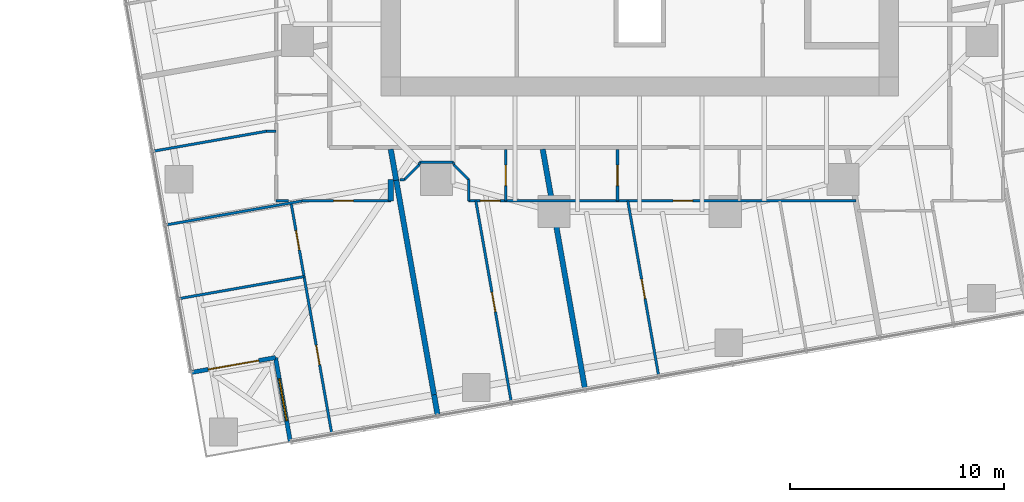
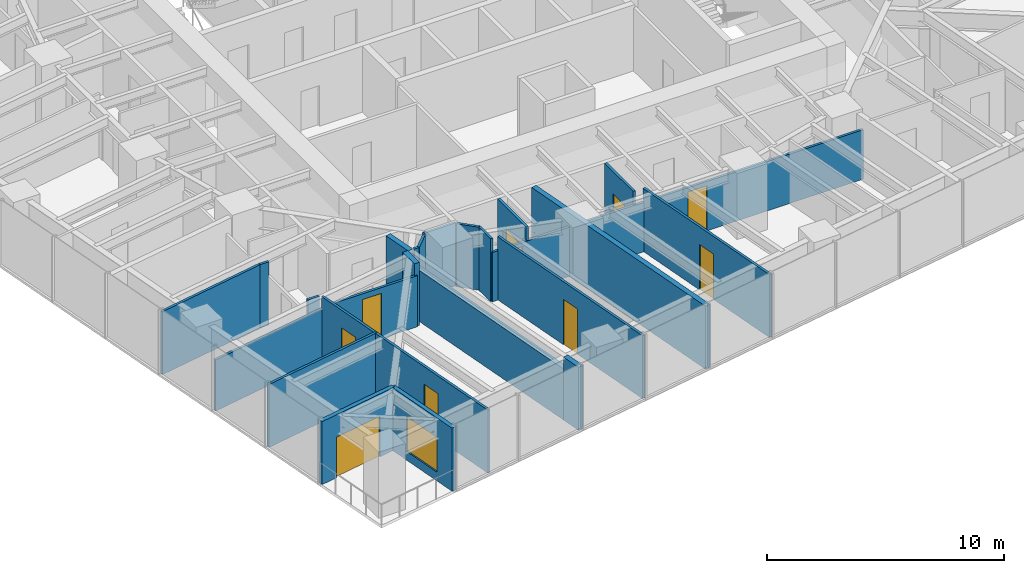
# One storey, part 8 of 14: 26 walls, 10 doors, 1 window, 11 openings.
"""IFC4 building model written with IfcOpenShell, lengths in metres."""

from ifc_helpers import new_model, si_unit, direction, frame, frame_2d, origin, place, context, subcontext, project, spatial, rectangle, extrude, material, layer, layer_set, type_object, element, fill, save


model = new_model("IFC4")

# Units and contexts
model_context = context("Model", 3, precision=1e-05, world=origin(), true_north=direction((0.0, 1.0)))
body_context = subcontext(model_context, "Body", "Model", "MODEL_VIEW")
ifc_project = project(units=[si_unit("LENGTHUNIT", "METRE"), si_unit("AREAUNIT", "SQUARE_METRE"), si_unit("VOLUMEUNIT", "CUBIC_METRE"), si_unit("PLANEANGLEUNIT", "RADIAN"), si_unit("MASSUNIT", "GRAM", prefix="KILO")], contexts=[model_context])

# Site, building, storey
site_placement = place(None, origin())
site = spatial("IfcSite", under=ifc_project, at=site_placement, CompositionType="ELEMENT")
building_placement = place(site_placement, origin())
building = spatial("IfcBuilding", under=site, at=building_placement, Name="Torsade Residences", CompositionType="ELEMENT")
storey_placement = place(building_placement, frame((0.0, 0.0, 79.39990234375)))
storey = spatial("IfcBuildingStorey", under=building, at=storey_placement, Name="L21", CompositionType="ELEMENT", Elevation=79.39990234375)

# Wall, opening, door
ifc_material_1 = material(Name="Plasterboard on steel stud", Category="steel")
ifc_layer_1 = layer(ifc_material_1, 0.1201171875)
ifc_layer_set_1 = layer_set([ifc_layer_1], Name="Plasterboard on steel stud")
wall_type_1 = type_object("IfcWallType", Name="PARTITION 120", PredefinedType="PARTITIONING", material=ifc_layer_set_1)
wall_1_placement = place(storey_placement, frame((28.362060546875, 13.0, 0.0), z_axis=(0.0, 0.0, 1.0), x_axis=(-1.0, 0.0, 0.0)))
wall_1 = element("IfcWall", 1, at=wall_1_placement, inside=storey, type_object=wall_type_1, Name="Partition L21", PredefinedType="PARTITIONING", context=body_context, shape_type="SweptSolid", body=[
    extrude(rectangle(XDim=4.151123046875, YDim=0.1201171875, at=frame_2d((2.07568359375, 0.0))), origin(), (0.0, 0.0, 1.0), 2.63818359375),
])
opening_1_placement = place(wall_1_placement, frame((1.759521484375, 0.0, 0.0)))
opening_1 = element("IfcOpeningElement", 2, at=opening_1_placement, cuts=wall_1, Name="Opening D02", PredefinedType="OPENING", context=body_context, shape_type="SweptSolid", body=[
    extrude(rectangle(XDim=0.919921875, YDim=2.340087890625, at=frame_2d((0.4599609375, 1.169921875))), frame((0.0, 0.070068359375, 0.0), z_axis=(0.0, -1.0, 0.0), x_axis=(1.0, 0.0, 0.0)), (0.0, 0.0, 1.0), 0.14013671875),
])
ifc_material_2 = material(Name="Hollow-core timber door", Category="wood")
door_type_1 = type_object("IfcDoorType", Name="INTERNAL DOOR 920x2340", OperationType="NOTDEFINED", PredefinedType="DOOR", material=ifc_material_2)
door_1_placement = place(opening_1_placement, origin())
door_1 = element("IfcDoor", 3, at=door_1_placement, inside=storey, type_object=door_type_1, Name="Door Kitchen and dining to Living room", OperationType="SINGLE_SWING_RIGHT", OverallHeight=2.340087890625, OverallWidth=0.919921875, PredefinedType="DOOR", context=body_context, shape_type="SweptSolid", body=[
    extrude(rectangle(XDim=0.919921875, YDim=2.340087890625, at=frame_2d((0.4599609375, 1.169921875))), frame((0.0, 0.02490234375, 0.0), z_axis=(0.0, -1.0, 0.0), x_axis=(1.0, 0.0, 0.0)), (0.0, 0.0, 1.0), 0.050048828125),
])
fill(opening_1, door_1)

# Wall, openings, doors
wall_2_placement = place(storey_placement, frame((25.5966796875, 2.115234375, 0.0), z_axis=(0.0, 0.0, 1.0), x_axis=(-0.173639194339, 0.984809336973, 0.0)))
wall_2 = element("IfcWall", 4, at=wall_2_placement, inside=storey, type_object=wall_type_1, Name="Partition L21", PredefinedType="PARTITIONING", context=body_context, shape_type="SweptSolid", body=[
    extrude(rectangle(XDim=10.9599609375, YDim=0.1201171875, at=frame_2d((5.47998046875, 0.0))), origin(), (0.0, 0.0, 1.0), 3.25),
])
opening_2_placement = place(wall_2_placement, frame((3.275146484375, 0.0, 0.0)))
opening_2 = element("IfcOpeningElement", 5, at=opening_2_placement, cuts=wall_2, Name="Opening D02", PredefinedType="OPENING", context=body_context, shape_type="SweptSolid", body=[
    extrude(rectangle(XDim=0.919921875, YDim=2.340087890625, at=frame_2d((0.4599609375, 1.169921875))), frame((0.0, 0.070068359375, 0.0), z_axis=(0.0, -1.0, 0.0), x_axis=(1.0, 0.0, 0.0)), (0.0, 0.0, 1.0), 0.14013671875),
])
opening_3_placement = place(wall_2_placement, frame((8.724853515625, 0.0, 0.0)))
opening_3 = element("IfcOpeningElement", 6, at=opening_3_placement, cuts=wall_2, Name="Opening D02", PredefinedType="OPENING", context=body_context, shape_type="SweptSolid", body=[
    extrude(rectangle(XDim=0.919921875, YDim=2.340087890625, at=frame_2d((0.4599609375, 1.169921875))), frame((0.0, 0.070068359375, 0.0), z_axis=(0.0, -1.0, 0.0), x_axis=(1.0, 0.0, 0.0)), (0.0, 0.0, 1.0), 0.14013671875),
])
door_2_placement = place(opening_2_placement, origin())
door_2 = element("IfcDoor", 7, at=door_2_placement, inside=storey, type_object=door_type_1, Name="Door Living room to Bedroom 1", OperationType="SINGLE_SWING_RIGHT", OverallHeight=2.340087890625, OverallWidth=0.919921875, PredefinedType="DOOR", context=body_context, shape_type="SweptSolid", body=[
    extrude(rectangle(XDim=0.919921875, YDim=2.340087890625, at=frame_2d((0.4599609375, 1.169921875))), frame((0.0, 0.02490234375, 0.0), z_axis=(0.0, -1.0, 0.0), x_axis=(1.0, 0.0, 0.0)), (0.0, 0.0, 1.0), 0.050048828125),
])
fill(opening_2, door_2)
door_3_placement = place(opening_3_placement, origin())
door_3 = element("IfcDoor", 8, at=door_3_placement, inside=storey, type_object=door_type_1, Name="Door Living room to Bedroom 3", OperationType="SINGLE_SWING_LEFT", OverallHeight=2.340087890625, OverallWidth=0.919921875, PredefinedType="DOOR", context=body_context, shape_type="SweptSolid", body=[
    extrude(rectangle(XDim=0.919921875, YDim=2.340087890625, at=frame_2d((0.4599609375, 1.169921875))), frame((0.0, 0.02490234375, 0.0), z_axis=(0.0, -1.0, 0.0), x_axis=(1.0, 0.0, 0.0)), (0.0, 0.0, 1.0), 0.050048828125),
])
fill(opening_3, door_3)

# Walls
wall_3_placement = place(storey_placement, frame((17.850341796875, 11.87841796875, 0.0), z_axis=(0.0, 0.0, 1.0), x_axis=(0.984806762864, 0.173653792983, 0.0)))
element("IfcWall", 9, at=wall_3_placement, inside=storey, type_object=wall_type_1, Name="Partition L21", PredefinedType="PARTITIONING", context=body_context, shape_type="SweptSolid", body=[
    extrude(rectangle(XDim=6.458740234375, YDim=0.1201171875, at=frame_2d((3.2294921875, 0.0))), origin(), (0.0, 0.0, 1.0), 2.63818359375),
])
wall_4_placement = place(storey_placement, frame((18.4580078125, 8.431640625, 0.0), z_axis=(0.0, 0.0, 1.0), x_axis=(0.98480923034, 0.173639799116, 0.0)))
element("IfcWall", 10, at=wall_4_placement, inside=storey, type_object=wall_type_1, Name="Partition L21", PredefinedType="PARTITIONING", context=body_context, shape_type="SweptSolid", body=[
    extrude(rectangle(XDim=5.933349609375, YDim=0.1201171875, at=frame_2d((2.966796875, 0.0))), origin(), (0.0, 0.0, 1.0), 3.25),
])
wall_5_placement = place(storey_placement, frame((23.0, 16.260986328125, 0.0), z_axis=(0.0, 0.0, 1.0), x_axis=(-1.0, 0.0, 0.0)))
element("IfcWall", 11, at=wall_5_placement, inside=storey, type_object=wall_type_1, Name="Partition L21", PredefinedType="PARTITIONING", context=body_context, shape_type="SweptSolid", body=[
    extrude(rectangle(XDim=0.449951171875, YDim=0.1201171875, at=frame_2d((0.22509765625, 0.0))), origin(), (0.0, 0.0, 1.0), 3.25),
])
wall_6_placement = place(storey_placement, frame((22.550048828125, 16.260986328125, 0.0), z_axis=(0.0, 0.0, 1.0), x_axis=(-0.984810453076, -0.173632864151, 0.0)))
element("IfcWall", 12, at=wall_6_placement, inside=storey, type_object=wall_type_1, Name="Partition L21", PredefinedType="PARTITIONING", context=body_context, shape_type="SweptSolid", body=[
    extrude(rectangle(XDim=5.389404296875, YDim=0.1201171875, at=frame_2d((2.69482421875, 0.0))), origin(), (0.0, 0.0, 1.0), 3.25),
])

# Wall, opening, door
wall_7_placement = place(storey_placement, frame((33.735595703125, 15.39990234375, 0.0), z_axis=(0.0, 0.0, 1.0), x_axis=(0.0, -1.0, 0.0)))
wall_7 = element("IfcWall", 13, at=wall_7_placement, inside=storey, type_object=wall_type_1, Name="Partition L21", PredefinedType="PARTITIONING", context=body_context, shape_type="SweptSolid", body=[
    extrude(rectangle(XDim=2.39990234375, YDim=0.1201171875, at=frame_2d((1.199951171875, 0.0))), origin(), (0.0, 0.0, 1.0), 3.25),
])
opening_4_placement = place(wall_7_placement, frame((0.719970703125, 0.0, 0.0)))
opening_4 = element("IfcOpeningElement", 14, at=opening_4_placement, cuts=wall_7, Name="Opening D05", PredefinedType="OPENING", context=body_context, shape_type="SweptSolid", body=[
    extrude(rectangle(XDim=0.9599609375, YDim=2.10009765625, at=frame_2d((0.47998046875, 1.050048828125))), frame((0.0, 0.070068359375, 0.0), z_axis=(0.0, -1.0, 0.0), x_axis=(1.0, 0.0, 0.0)), (0.0, 0.0, 1.0), 0.14013671875),
])
ifc_material_3 = material(Name="Hollow-core timber door in a steel cavity frame", Category="steel")
door_type_2 = type_object("IfcDoorType", Name="BATHROOM CAVITY SLIDING DOOR 960", OperationType="SLIDING_TO_LEFT", PredefinedType="DOOR", material=ifc_material_3)
door_4_placement = place(opening_4_placement, origin())
door_4 = element("IfcDoor", 15, at=door_4_placement, inside=storey, type_object=door_type_2, Name="Door Kitchen and dining to Bathroom", OperationType="SLIDING_TO_LEFT", OverallHeight=2.10009765625, OverallWidth=0.9599609375, PredefinedType="DOOR", context=body_context, shape_type="SweptSolid", body=[
    extrude(rectangle(XDim=0.9599609375, YDim=2.10009765625, at=frame_2d((0.47998046875, 1.050048828125))), frame((0.0, 0.02490234375, 0.0), z_axis=(0.0, -1.0, 0.0), x_axis=(1.0, 0.0, 0.0)), (0.0, 0.0, 1.0), 0.050048828125),
])
fill(opening_4, door_4)

# Wall, openings, doors
wall_8_placement = place(storey_placement, frame((50.10546875, 13.0, 0.0), z_axis=(0.0, 0.0, 1.0), x_axis=(-1.0, 0.0, 0.0)))
wall_8 = element("IfcWall", 16, at=wall_8_placement, inside=storey, type_object=wall_type_1, Name="Partition L21", PredefinedType="PARTITIONING", context=body_context, shape_type="SweptSolid", body=[
    extrude(rectangle(XDim=18.10546875, YDim=0.1201171875, at=frame_2d((9.052734375, 0.0))), origin(), (0.0, 0.0, 1.0), 2.550048828125),
])
opening_5_placement = place(wall_8_placement, frame((7.625732421875, 0.0, 0.0)))
opening_5 = element("IfcOpeningElement", 17, at=opening_5_placement, cuts=wall_8, Name="Opening D02", PredefinedType="OPENING", context=body_context, shape_type="SweptSolid", body=[
    extrude(rectangle(XDim=0.919921875, YDim=2.340087890625, at=frame_2d((0.4599609375, 1.169921875))), frame((0.0, 0.070068359375, 0.0), z_axis=(0.0, -1.0, 0.0), x_axis=(1.0, 0.0, 0.0)), (0.0, 0.0, 1.0), 0.14013671875),
])
opening_6_placement = place(wall_8_placement, frame((16.63525390625, 0.0, 0.0)))
opening_6 = element("IfcOpeningElement", 18, at=opening_6_placement, cuts=wall_8, Name="Opening D02", PredefinedType="OPENING", context=body_context, shape_type="SweptSolid", body=[
    extrude(rectangle(XDim=0.919921875, YDim=2.340087890625, at=frame_2d((0.4599609375, 1.169921875))), frame((0.0, 0.070068359375, 0.0), z_axis=(0.0, -1.0, 0.0), x_axis=(1.0, 0.0, 0.0)), (0.0, 0.0, 1.0), 0.14013671875),
])
door_5_placement = place(opening_5_placement, origin())
door_5 = element("IfcDoor", 19, at=door_5_placement, inside=storey, type_object=door_type_1, Name="Door Kitchen and dining to Living room", OperationType="SINGLE_SWING_LEFT", OverallHeight=2.340087890625, OverallWidth=0.919921875, PredefinedType="DOOR", context=body_context, shape_type="SweptSolid", body=[
    extrude(rectangle(XDim=0.919921875, YDim=2.340087890625, at=frame_2d((0.4599609375, 1.169921875))), frame((0.0, 0.02490234375, 0.0), z_axis=(0.0, -1.0, 0.0), x_axis=(1.0, 0.0, 0.0)), (0.0, 0.0, 1.0), 0.050048828125),
])
fill(opening_5, door_5)
door_6_placement = place(opening_6_placement, origin())
door_6 = element("IfcDoor", 20, at=door_6_placement, inside=storey, type_object=door_type_1, Name="Door Kitchen and dining to Bedroom 1", OperationType="SINGLE_SWING_RIGHT", OverallHeight=2.340087890625, OverallWidth=0.919921875, PredefinedType="DOOR", context=body_context, shape_type="SweptSolid", body=[
    extrude(rectangle(XDim=0.919921875, YDim=2.340087890625, at=frame_2d((0.4599609375, 1.169921875))), frame((0.0, 0.02490234375, 0.0), z_axis=(0.0, -1.0, 0.0), x_axis=(1.0, 0.0, 0.0)), (0.0, 0.0, 1.0), 0.050048828125),
])
fill(opening_6, door_6)

# Walls
wall_9_placement = place(storey_placement, frame((32.0, 13.0, 0.0), z_axis=(0.0, 0.0, 1.0), x_axis=(0.0, 1.0, 0.0)))
element("IfcWall", 21, at=wall_9_placement, inside=storey, type_object=wall_type_1, Name="Partition L21", PredefinedType="PARTITIONING", context=body_context, shape_type="SweptSolid", body=[
    extrude(rectangle(XDim=1.0, YDim=0.1201171875, at=frame_2d((0.5, 0.0))), origin(), (0.0, 0.0, 1.0), 3.25),
])
wall_10_placement = place(storey_placement, frame((32.0, 14.0, 0.0), z_axis=(0.0, 0.0, 1.0), x_axis=(-0.707106781187, 0.707106781187, 0.0)))
element("IfcWall", 22, at=wall_10_placement, inside=storey, type_object=wall_type_1, Name="Partition L21", PredefinedType="PARTITIONING", context=body_context, shape_type="SweptSolid", body=[
    extrude(rectangle(XDim=0.989990234375, YDim=0.1201171875, at=frame_2d((0.4951171875, 0.0))), origin(), (0.0, 0.0, 1.0), 3.25),
])
wall_11_placement = place(storey_placement, frame((31.300048828125, 14.800048828125, 0.0), z_axis=(0.0, 0.0, 1.0), x_axis=(-1.0, 0.0, 0.0)))
element("IfcWall", 23, at=wall_11_placement, inside=storey, type_object=wall_type_1, Name="Partition L21", PredefinedType="PARTITIONING", context=body_context, shape_type="SweptSolid", body=[
    extrude(rectangle(XDim=1.60009765625, YDim=0.1201171875, at=frame_2d((0.800048828125, 0.0))), origin(), (0.0, 0.0, 1.0), 3.25),
])
wall_12_placement = place(storey_placement, frame((29.699951171875, 14.699951171875, 0.0), z_axis=(0.0, 0.0, 1.0), x_axis=(-0.707106781187, -0.707106781187, 0.0)))
element("IfcWall", 24, at=wall_12_placement, inside=storey, type_object=wall_type_1, Name="Partition L21", PredefinedType="PARTITIONING", context=body_context, shape_type="SweptSolid", body=[
    extrude(rectangle(XDim=0.989990234375, YDim=0.1201171875, at=frame_2d((0.4951171875, 0.0))), origin(), (0.0, 0.0, 1.0), 3.25),
])
wall_13_placement = place(storey_placement, frame((29.0, 14.0, 0.0), z_axis=(0.0, 0.0, 1.0), x_axis=(-1.0, 0.0, 0.0)))
element("IfcWall", 25, at=wall_13_placement, inside=storey, type_object=wall_type_1, Name="Partition L21", PredefinedType="PARTITIONING", context=body_context, shape_type="SweptSolid", body=[
    extrude(rectangle(XDim=0.218505859375, YDim=0.1201171875, at=frame_2d((0.109375, 0.0))), origin(), (0.0, 0.0, 1.0), 3.25),
])

# Wall, opening, door
wall_14_placement = place(storey_placement, frame((32.335693359375, 13.0, 0.0), z_axis=(0.0, 0.0, 1.0), x_axis=(0.173624894944, -0.984811858101, 0.0)))
wall_14 = element("IfcWall", 26, at=wall_14_placement, inside=storey, type_object=wall_type_1, Name="Partition L21", PredefinedType="PARTITIONING", context=body_context, shape_type="SweptSolid", body=[
    extrude(rectangle(XDim=9.549072265625, YDim=0.1201171875, at=frame_2d((4.7744140625, 0.0))), origin(), (0.0, 0.0, 1.0), 3.25),
])
opening_7_placement = place(wall_14_placement, frame((4.33447265625, 0.0, 0.0)))
opening_7 = element("IfcOpeningElement", 27, at=opening_7_placement, cuts=wall_14, Name="Opening D02", PredefinedType="OPENING", context=body_context, shape_type="SweptSolid", body=[
    extrude(rectangle(XDim=0.919921875, YDim=2.340087890625, at=frame_2d((0.4599609375, 1.169921875))), frame((0.0, 0.070068359375, 0.0), z_axis=(0.0, -1.0, 0.0), x_axis=(1.0, 0.0, 0.0)), (0.0, 0.0, 1.0), 0.14013671875),
])
door_7_placement = place(opening_7_placement, origin())
door_7 = element("IfcDoor", 28, at=door_7_placement, inside=storey, type_object=door_type_1, Name="Door Bedroom 1 to Living room", OperationType="SINGLE_SWING_RIGHT", OverallHeight=2.340087890625, OverallWidth=0.919921875, PredefinedType="DOOR", context=body_context, shape_type="SweptSolid", body=[
    extrude(rectangle(XDim=0.919921875, YDim=2.340087890625, at=frame_2d((0.4599609375, 1.169921875))), frame((0.0, 0.02490234375, 0.0), z_axis=(0.0, -1.0, 0.0), x_axis=(1.0, 0.0, 0.0)), (0.0, 0.0, 1.0), 0.050048828125),
])
fill(opening_7, door_7)

wall_15_placement = place(storey_placement, frame((38.962158203125, 13.0, 0.0), z_axis=(0.0, 0.0, 1.0), x_axis=(0.0, 1.0, 0.0)))
wall_15 = element("IfcWall", 29, at=wall_15_placement, inside=storey, type_object=wall_type_1, Name="Partition L21", PredefinedType="PARTITIONING", context=body_context, shape_type="SweptSolid", body=[
    extrude(rectangle(XDim=2.39990234375, YDim=0.1201171875, at=frame_2d((1.199951171875, 0.0))), origin(), (0.0, 0.0, 1.0), 3.25),
])
opening_8_placement = place(wall_15_placement, frame((0.719970703125, 0.0, 0.0)))
opening_8 = element("IfcOpeningElement", 30, at=opening_8_placement, cuts=wall_15, Name="Opening D05", PredefinedType="OPENING", context=body_context, shape_type="SweptSolid", body=[
    extrude(rectangle(XDim=0.9599609375, YDim=2.10009765625, at=frame_2d((0.47998046875, 1.050048828125))), frame((0.0, 0.070068359375, 0.0), z_axis=(0.0, -1.0, 0.0), x_axis=(1.0, 0.0, 0.0)), (0.0, 0.0, 1.0), 0.14013671875),
])
door_8_placement = place(opening_8_placement, origin())
door_8 = element("IfcDoor", 31, at=door_8_placement, inside=storey, type_object=door_type_2, Name="Door Kitchen and dining to Ensuite", OperationType="SLIDING_TO_LEFT", OverallHeight=2.10009765625, OverallWidth=0.9599609375, PredefinedType="DOOR", context=body_context, shape_type="SweptSolid", body=[
    extrude(rectangle(XDim=0.9599609375, YDim=2.10009765625, at=frame_2d((0.47998046875, 1.050048828125))), frame((0.0, 0.02490234375, 0.0), z_axis=(0.0, -1.0, 0.0), x_axis=(1.0, 0.0, 0.0)), (0.0, 0.0, 1.0), 0.050048828125),
])
fill(opening_8, door_8)

wall_16_placement = place(storey_placement, frame((40.887451171875, 4.8115234375, 0.0), z_axis=(0.0, 0.0, 1.0), x_axis=(-0.173647980238, 0.984807787824, 0.0)))
wall_16 = element("IfcWall", 32, at=wall_16_placement, inside=storey, type_object=wall_type_1, Name="Partition L21", PredefinedType="PARTITIONING", context=body_context, shape_type="SweptSolid", body=[
    extrude(rectangle(XDim=8.314697265625, YDim=0.1201171875, at=frame_2d((4.1572265625, 0.0))), origin(), (0.0, 0.0, 1.0), 3.25),
])
opening_9_placement = place(wall_16_placement, frame((3.677490234375, 0.0, 0.0)))
opening_9 = element("IfcOpeningElement", 33, at=opening_9_placement, cuts=wall_16, Name="Opening D02", PredefinedType="OPENING", context=body_context, shape_type="SweptSolid", body=[
    extrude(rectangle(XDim=0.919921875, YDim=2.340087890625, at=frame_2d((0.4599609375, 1.169921875))), frame((0.0, 0.070068359375, 0.0), z_axis=(0.0, -1.0, 0.0), x_axis=(1.0, 0.0, 0.0)), (0.0, 0.0, 1.0), 0.14013671875),
])
door_9_placement = place(opening_9_placement, origin())
door_9 = element("IfcDoor", 34, at=door_9_placement, inside=storey, type_object=door_type_1, Name="Door Living room to Bedroom 1", OperationType="SINGLE_SWING_LEFT", OverallHeight=2.340087890625, OverallWidth=0.919921875, PredefinedType="DOOR", context=body_context, shape_type="SweptSolid", body=[
    extrude(rectangle(XDim=0.919921875, YDim=2.340087890625, at=frame_2d((0.4599609375, 1.169921875))), frame((0.0, 0.02490234375, 0.0), z_axis=(0.0, -1.0, 0.0), x_axis=(1.0, 0.0, 0.0)), (0.0, 0.0, 1.0), 0.050048828125),
])
fill(opening_9, door_9)

# Walls
wall_17_placement = place(storey_placement, frame((23.0, 13.0, 0.0), z_axis=(0.0, 0.0, 1.0), x_axis=(1.0, 0.0, 0.0)))
element("IfcWall", 35, at=wall_17_placement, inside=storey, type_object=wall_type_1, Name="Partition L21", PredefinedType="PARTITIONING", context=body_context, shape_type="SweptSolid", body=[
    extrude(rectangle(XDim=0.57763671875, YDim=0.1201171875, at=frame_2d((0.288818359375, 0.0))), origin(), (0.0, 0.0, 1.0), 3.25),
])
for number, where, z_axis, x_axis, name in (
    (36, (31.300048828125, 14.800048828125, 0.0), (0.0, 0.0, 1.0), (0.0, -1.0, 0.0), "Partition L21"),
    (37, (29.699951171875, 14.800048828125, 0.0), (0.0, 0.0, 1.0), (0.0, -1.0, 0.0), "Partition L21"),
):
    element("IfcWall", number, at=place(storey_placement, frame(where, z_axis=z_axis, x_axis=x_axis)), inside=storey, type_object=wall_type_1, Name=name, PredefinedType="PARTITIONING", context=body_context, shape_type="SweptSolid", body=[
        extrude(rectangle(XDim=0.10009765625, YDim=0.1201171875, at=frame_2d((0.050048828125, 0.0))), origin(), (0.0, 0.0, 1.0), 3.25),
    ])
ifc_material_4 = material(Name="Masonry-lined stud party wall", Category="masonry")
ifc_layer_2 = layer(ifc_material_4, 0.25)
ifc_layer_set_2 = layer_set([ifc_layer_2], Name="Masonry-lined stud party wall")
wall_type_2 = type_object("IfcWallType", Name="PARTY WALL 250", PredefinedType="PARTITIONING", material=ifc_layer_set_2)
wall_18_placement = place(storey_placement, frame((37.447509765625, 4.164306640625, 0.0), z_axis=(0.0, 0.0, 1.0), x_axis=(-0.173635416642, 0.98481000304, 0.0)))
element("IfcWall", 38, at=wall_18_placement, inside=storey, type_object=wall_type_2, Name="Party wall L21", PredefinedType="PARTITIONING", context=body_context, shape_type="SweptSolid", body=[
    extrude(rectangle(XDim=11.427001953125, YDim=0.25, at=frame_2d((5.71337890625, 0.0))), origin(), (0.0, 0.0, 1.0), 3.25),
])
wall_19_placement = place(storey_placement, frame((30.553955078125, 2.94873046875, 0.0), z_axis=(0.0, 0.0, 1.0), x_axis=(-0.173813186416, 0.984778643263, 0.0)))
element("IfcWall", 39, at=wall_19_placement, inside=storey, type_object=wall_type_2, Name="Party wall L21", PredefinedType="PARTITIONING", context=body_context, shape_type="SweptSolid", body=[
    extrude(rectangle(XDim=1.0, YDim=0.25, at=frame_2d((0.5, 0.0))), origin(), (0.0, 0.0, 1.0), 3.25),
])
wall_20_placement = place(storey_placement, frame((30.380126953125, 3.93359375, 0.0), z_axis=(0.0, 0.0, 1.0), x_axis=(-0.173644522411, 0.984808397525, 0.0)))
element("IfcWall", 40, at=wall_20_placement, inside=storey, type_object=wall_type_2, Name="Party wall L21", PredefinedType="PARTITIONING", context=body_context, shape_type="SweptSolid", body=[
    extrude(rectangle(XDim=10.187744140625, YDim=0.25, at=frame_2d((5.09375, 0.0))), origin(), (0.0, 0.0, 1.0), 2.63818359375),
])
wall_21_placement = place(storey_placement, frame((28.611083984375, 13.966552734375, 0.0), z_axis=(0.0, 0.0, 1.0), x_axis=(-0.173634105885, 0.984810234143, 0.0)))
element("IfcWall", 41, at=wall_21_placement, inside=storey, type_object=wall_type_2, Name="Party wall L21", PredefinedType="PARTITIONING", context=body_context, shape_type="SweptSolid", body=[
    extrude(rectangle(XDim=1.4736328125, YDim=0.25, at=frame_2d((0.73681640625, 0.0))), origin(), (0.0, 0.0, 1.0), 3.25),
])
wall_22_placement = place(storey_placement, frame((28.362060546875, 13.99755859375, 0.0), z_axis=(0.0, 0.0, 1.0), x_axis=(0.0, -1.0, 0.0)))
element("IfcWall", 42, at=wall_22_placement, inside=storey, type_object=wall_type_2, Name="Party wall L21", PredefinedType="PARTITIONING", context=body_context, shape_type="SweptSolid", body=[
    extrude(rectangle(XDim=0.99755859375, YDim=0.25, at=frame_2d((0.498779296875, 0.0))), origin(), (0.0, 0.0, 1.0), 3.25),
])

# Wall, opening, door
ifc_material_5 = material(Name="Stone-faced precast concrete 40 MPa panel", Category="masonry")
ifc_layer_3 = layer(ifc_material_5, 0.199951171875)
ifc_layer_set_3 = layer_set([ifc_layer_3], Name="Stone-faced precast concrete 40 MPa panel")
wall_type_3 = type_object("IfcWallType", Name="TERRACE WALL 200", PredefinedType="SOLIDWALL", material=ifc_layer_set_3)
wall_23_placement = place(storey_placement, frame((19.0263671875, 4.977783203125, 0.0), z_axis=(0.0, 0.0, 1.0), x_axis=(0.984808127031, 0.173646056486, 0.0)))
wall_23 = element("IfcWall", 43, at=wall_23_placement, inside=storey, type_object=wall_type_3, Name="Terrace wall L21 11", PredefinedType="SOLIDWALL", context=body_context, shape_type="SweptSolid", body=[
    extrude(rectangle(XDim=4.0, YDim=0.199951171875, at=frame_2d((2.0, 0.0))), origin(), (0.0, 0.0, 1.0), 3.25),
])
opening_10_placement = place(wall_23_placement, frame((0.800048828125, 0.0, 0.0)))
opening_10 = element("IfcOpeningElement", 44, at=opening_10_placement, cuts=wall_23, Name="Opening D10A", PredefinedType="OPENING", context=body_context, shape_type="SweptSolid", body=[
    extrude(rectangle(XDim=2.39990234375, YDim=2.10009765625, at=frame_2d((1.199951171875, 1.050048828125))), frame((0.0, 0.10986328125, 0.0), z_axis=(0.0, -1.0, 0.0), x_axis=(1.0, 0.0, 0.0)), (0.0, 0.0, 1.0), 0.219970703125),
])
ifc_material_6 = material(Name="Aluminium-framed glass door", Category="aluminium")
door_type_3 = type_object("IfcDoorType", Name="TERRACE SLIDING DOOR 2400x2100", OperationType="SLIDING_TO_LEFT", PredefinedType="DOOR", material=ifc_material_6)
door_10_placement = place(opening_10_placement, origin())
door_10 = element("IfcDoor", 45, at=door_10_placement, inside=storey, type_object=door_type_3, Name="Terrace door L21 11", OperationType="SLIDING_TO_LEFT", OverallHeight=2.10009765625, OverallWidth=2.39990234375, PredefinedType="DOOR", context=body_context, shape_type="SweptSolid", body=[
    extrude(rectangle(XDim=2.39990234375, YDim=2.10009765625, at=frame_2d((1.199951171875, 1.050048828125))), frame((0.0, 0.02490234375, 0.0), z_axis=(0.0, -1.0, 0.0), x_axis=(1.0, 0.0, 0.0)), (0.0, 0.0, 1.0), 0.050048828125),
])
fill(opening_10, door_10)

# Wall, opening, window
wall_24_placement = place(storey_placement, frame((22.965576171875, 5.67236328125, 0.0), z_axis=(0.0, 0.0, 1.0), x_axis=(0.173646056486, -0.984808127031, 0.0)))
wall_24 = element("IfcWall", 46, at=wall_24_placement, inside=storey, type_object=wall_type_3, Name="Terrace wall L21 12", PredefinedType="SOLIDWALL", context=body_context, shape_type="SweptSolid", body=[
    extrude(rectangle(XDim=4.0, YDim=0.199951171875, at=frame_2d((2.0, 0.0))), origin(), (0.0, 0.0, 1.0), 3.25),
])
opening_11_placement = place(wall_24_placement, frame((1.0, 0.0, 0.449951171875)))
opening_11 = element("IfcOpeningElement", 47, at=opening_11_placement, cuts=wall_24, Name="Opening W1B", PredefinedType="OPENING", context=body_context, shape_type="SweptSolid", body=[
    extrude(rectangle(XDim=2.0, YDim=1.800048828125, at=frame_2d((1.0, 0.89990234375))), frame((0.0, 0.10986328125, 0.0), z_axis=(0.0, -1.0, 0.0), x_axis=(1.0, 0.0, 0.0)), (0.0, 0.0, 1.0), 0.219970703125),
])
ifc_material_7 = material(Name="Aluminium-framed glass window", Category="aluminium")
window_type = type_object("IfcWindowType", Name="TERRACE WINDOW 2000x1800", PartitioningType="SINGLE_PANEL", PredefinedType="WINDOW", material=ifc_material_7)
window_placement = place(opening_11_placement, origin())
window = element("IfcWindow", 48, at=window_placement, inside=storey, type_object=window_type, Name="Terrace window L21 12", OverallHeight=1.800048828125, OverallWidth=2.0, PartitioningType="SINGLE_PANEL", PredefinedType="WINDOW", context=body_context, shape_type="SweptSolid", body=[
    extrude(rectangle(XDim=2.0, YDim=1.800048828125, at=frame_2d((1.0, 0.89990234375))), frame((0.0, 0.030029296875, 0.0), z_axis=(0.0, -1.0, 0.0), x_axis=(1.0, 0.0, 0.0)), (0.0, 0.0, 1.0), 0.06005859375),
])
fill(opening_11, window)

save(model, "model.ifc")
